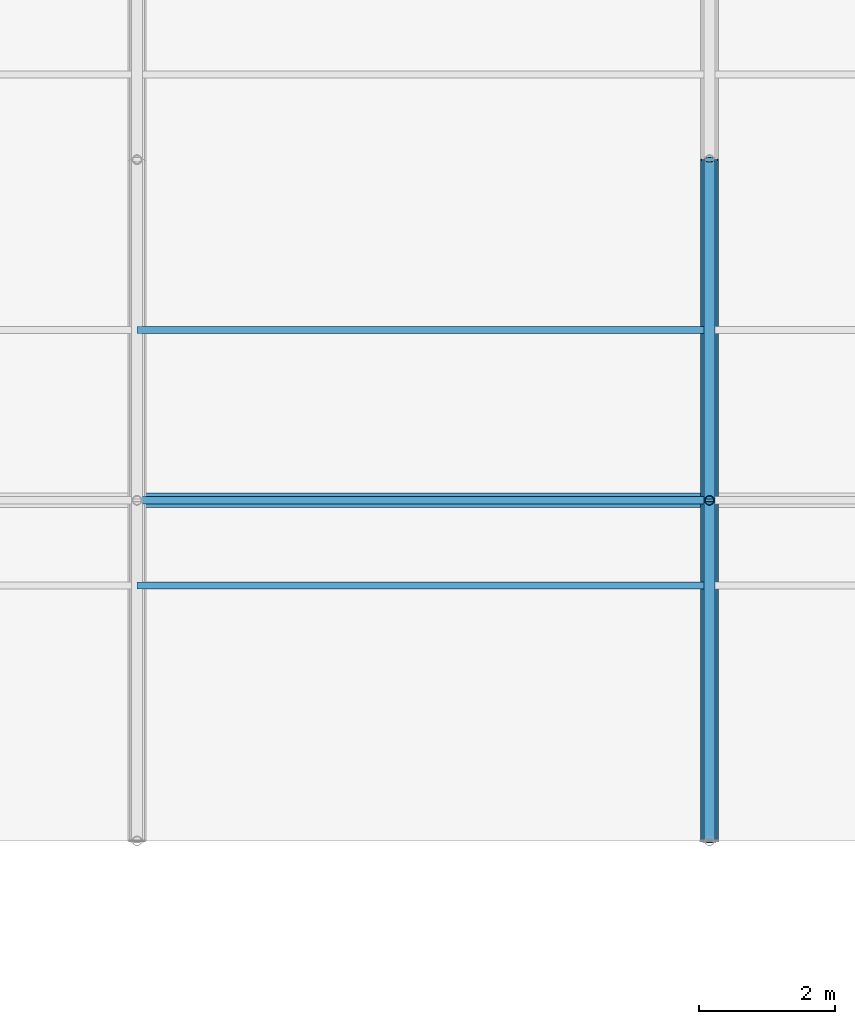
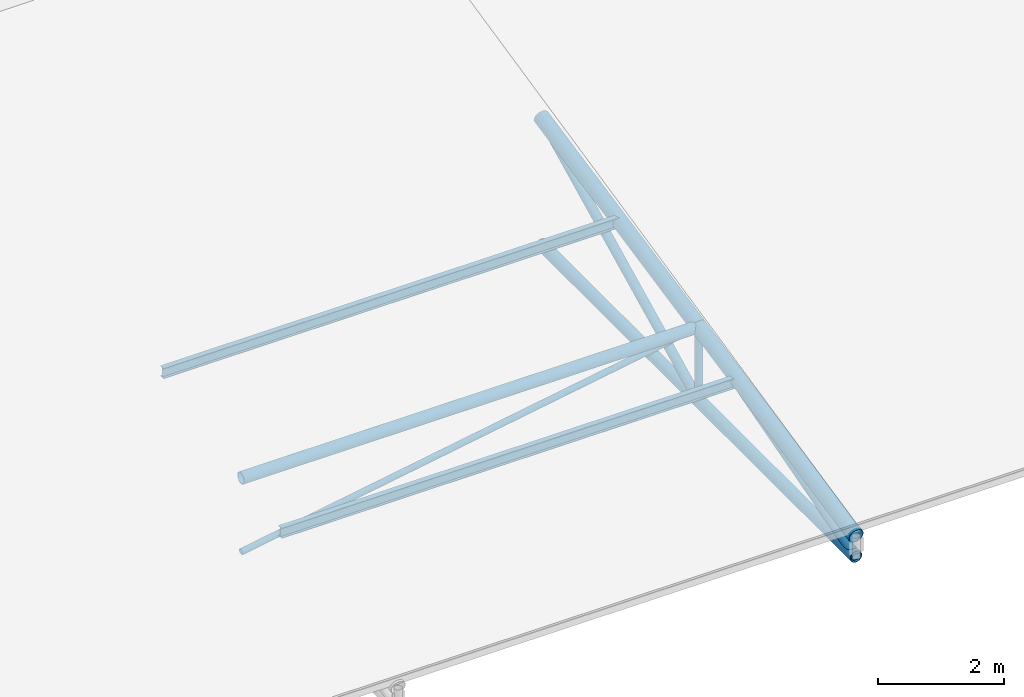
# One storey, part 18 of 194: 9 members, 2 beams.
"""IFC4 building model written with IfcOpenShell, lengths in metres."""

import ifcopenshell
import ifcopenshell.guid

model = None  # the IFC model being written
_history = None  # IfcOwnerHistory: only IFC2X3 demands one
_inside = {}  # id of a spatial element -> (the spatial element, [elements in it])
_under = {}  # id of a project, library or spatial element -> (it, [spatial elements below it])
_declared = {}  # id of a project -> (the project, [libraries it declares])
_typed = {}  # id of a type object -> (the type object, [elements of that type])
_made_of = {}  # id of a material, layer set ... -> (it, [elements and type objects made of it])


def new_model(schema):
    """Start an empty IFC model of exactly this schema.

    Asked for "IFC4X3", IfcOpenShell would pick the latest addendum, in which some entities
    have other attributes; the version numbers below select the first issue.
    IFC2X3 requires an IfcOwnerHistory on every rooted entity: one is made here for all.
    """
    global model, _history
    if schema == "IFC4X3":
        model = ifcopenshell.file(schema_version=(4, 3, 0, 0))
    else:
        model = ifcopenshell.file(schema=schema)
    _inside.clear()
    _under.clear()
    _declared.clear()
    _typed.clear()
    _made_of.clear()
    _history = None
    if model.schema == "IFC2X3":
        org = make("IfcOrganization", Name="unknown")
        user = make(
            "IfcPersonAndOrganization",
            ThePerson=make("IfcPerson", FamilyName="unknown"),
            TheOrganization=org,
        )
        app = make(
            "IfcApplication",
            ApplicationDeveloper=org,
            Version="unknown",
            ApplicationFullName="unknown",
            ApplicationIdentifier="unknown",
        )
        _history = make(
            "IfcOwnerHistory",
            OwningUser=user,
            OwningApplication=app,
            ChangeAction="ADDED",
            CreationDate=0,
        )
    return model


def make(cls, **values):
    """One entity of the class cls with the attributes given. An attribute that is None is left unset."""
    return model.create_entity(
        cls, **{name: value for name, value in values.items() if value is not None}
    )


def rooted(cls, **values):
    """An entity with a GlobalId (a new one), such as an element, a storey or a relation."""
    return make(cls, GlobalId=ifcopenshell.guid.new(), OwnerHistory=_history, **values)


def si_unit(unit_type, name, prefix=None):
    """IfcSIUnit, for example si_unit("LENGTHUNIT", "METRE", prefix="MILLI")."""
    return make("IfcSIUnit", UnitType=unit_type, Prefix=prefix, Name=name)


def assignment(units):
    """IfcUnitAssignment: the units of a project."""
    return None if units is None else make("IfcUnitAssignment", Units=units)


def point(xyz):
    """IfcCartesianPoint."""
    return None if xyz is None else make("IfcCartesianPoint", Coordinates=xyz)


def direction(xyz):
    """IfcDirection."""
    return None if xyz is None else make("IfcDirection", DirectionRatios=xyz)


def frame(location, z_axis=None, x_axis=None):
    """IfcAxis2Placement3D, a coordinate frame: its origin and axes. An axis left out is left unset."""
    return make(
        "IfcAxis2Placement3D",
        Location=point(location),
        Axis=direction(z_axis),
        RefDirection=direction(x_axis),
    )


def frame_2d(location, x_axis=None):
    """IfcAxis2Placement2D, a coordinate frame in the plane: its origin and x axis."""
    return make(
        "IfcAxis2Placement2D", Location=point(location), RefDirection=direction(x_axis)
    )


def origin():
    """The frame at (0, 0, 0) with its axes left unset."""
    return frame((0.0, 0.0, 0.0))


def origin_2d():
    """The frame at (0, 0) in the plane with its x axis left unset."""
    return frame_2d((0.0, 0.0))


def place(relative_to, where):
    """IfcLocalPlacement: puts the frame where relative to a parent placement (None: the world)."""
    return make(
        "IfcLocalPlacement", PlacementRelTo=relative_to, RelativePlacement=where
    )


def context(
    kind, dimensions, precision=None, world=None, true_north=None, identifier=None
):
    """IfcGeometricRepresentationContext, for example the 3D "Model" context."""
    return make(
        "IfcGeometricRepresentationContext",
        ContextIdentifier=identifier,
        ContextType=kind,
        CoordinateSpaceDimension=dimensions,
        Precision=precision,
        WorldCoordinateSystem=world,
        TrueNorth=true_north,
    )


def subcontext(parent, identifier, kind, view, scale=None):
    """IfcGeometricRepresentationSubContext, for example "Body" below "Model"."""
    return make(
        "IfcGeometricRepresentationSubContext",
        ContextIdentifier=identifier,
        ContextType=kind,
        ParentContext=parent,
        TargetScale=scale,
        TargetView=view,
    )


def project(units=None, contexts=None):
    """IfcProject with its units and contexts."""
    return rooted(
        "IfcProject",
        Name="project",
        RepresentationContexts=contexts,
        UnitsInContext=assignment(units),
    )


def spatial(cls, under=None, at=None, **own):
    """A site, building, storey or space (cls), placed at a placement, below another one or the project."""
    s = rooted(cls, ObjectPlacement=at, **own)
    if under is not None:
        _under.setdefault(under.id(), (under, []))[1].append(s)
    return s


def profile(cls, at=None, kind="AREA", **sizes):
    """A parametric profile (cls). Its sizes go by their IFC names, for example OverallWidth=200.0."""
    return make(cls, ProfileType=kind, Position=at, **sizes)


def hollow_circle(**sizes):
    """IfcCircleHollowProfileDef."""
    return profile("IfcCircleHollowProfileDef", **sizes)


def i_section(**sizes):
    """IfcIShapeProfileDef."""
    return profile("IfcIShapeProfileDef", **sizes)


def extrude(swept, where, along, depth):
    """IfcExtrudedAreaSolid: the profile swept, set in the frame where, extruded along a direction by depth."""
    return make(
        "IfcExtrudedAreaSolid",
        SweptArea=swept,
        Position=where,
        ExtrudedDirection=direction(along),
        Depth=depth,
    )


def shape(context_of_items, identifier, shape_type, items):
    """IfcShapeRepresentation: the items that make up one representation, for example the "Body"."""
    return make(
        "IfcShapeRepresentation",
        ContextOfItems=context_of_items,
        RepresentationIdentifier=identifier,
        RepresentationType=shape_type,
        Items=items,
    )


def material(Name=None, Category=None):
    """IfcMaterial."""
    return make("IfcMaterial", Name=Name, Category=Category)


def material_profile(
    of_material, cross_section, Name=None, Category=None, Priority=None
):
    """IfcMaterialProfile: a cross section and its material."""
    return make(
        "IfcMaterialProfile",
        Name=Name,
        Material=of_material,
        Profile=cross_section,
        Priority=Priority,
        Category=Category,
    )


def profile_set(profiles, Name=None, composite=None):
    """IfcMaterialProfileSet."""
    return make(
        "IfcMaterialProfileSet",
        Name=Name,
        MaterialProfiles=profiles,
        CompositeProfile=composite,
    )


def made_of(thing, what):
    """Note that an element or type object is made of a material, layer set ...; save() writes the relation."""
    if what is not None:
        _made_of.setdefault(what.id(), (what, []))[1].append(thing)
    return thing


def type_object(cls, material=None, **own):
    """A type object (cls), such as IfcWallType, which elements share."""
    return made_of(rooted(cls, **own), material)


def element(
    cls,
    number,
    at=None,
    inside=None,
    cuts=None,
    type_object=None,
    material=None,
    context=None,
    identifier="Body",
    shape_type=None,
    held_by="IfcProductDefinitionShape",
    body=None,
    shapes=None,
    **own,
):
    """One element of the class cls, such as IfcWall. Its Tag is "e" and its number.

    at: its placement. inside: the storey or other place that contains it. cuts: it is an
    opening in that element (IfcRelVoidsElement). A single representation is given by context,
    identifier, shape_type and body (its items); several are given by shapes. held_by: the class
    of the entity that holds the representations. save() writes the other relations.
    """
    e = rooted(cls, Tag="e%d" % number, ObjectPlacement=at, **own)
    if body is not None:
        shapes = [shape(context, identifier, shape_type, body)]
    if shapes is not None:
        e.Representation = make(held_by, Representations=shapes)
    if inside is not None:
        _inside.setdefault(inside.id(), (inside, []))[1].append(e)
    if cuts is not None:
        rooted(
            "IfcRelVoidsElement", RelatingBuildingElement=cuts, RelatedOpeningElement=e
        )
    if type_object is not None:
        _typed.setdefault(type_object.id(), (type_object, []))[1].append(e)
    return made_of(e, material)


def aggregate(whole, parts):
    """IfcRelAggregates: a whole, such as a stair, and the parts it consists of."""
    return rooted("IfcRelAggregates", RelatingObject=whole, RelatedObjects=parts)


def save(model, path):
    """Write the relations noted so far, then the file.

    IfcRelAggregates (storeys below a building ...), IfcRelContainedInSpatialStructure (elements
    in a storey), IfcRelDefinesByType, IfcRelAssociatesMaterial and IfcRelDeclares: one each for
    every whole, place, type object, material and project.
    """
    for whole, parts in _under.values():
        aggregate(whole, parts)
    for where, things in _inside.values():
        rooted(
            "IfcRelContainedInSpatialStructure",
            RelatedElements=things,
            RelatingStructure=where,
        )
    for kind, things in _typed.values():
        rooted("IfcRelDefinesByType", RelatedObjects=things, RelatingType=kind)
    for what, things in _made_of.values():
        rooted("IfcRelAssociatesMaterial", RelatedObjects=things, RelatingMaterial=what)
    for by, libraries in _declared.values():
        rooted("IfcRelDeclares", RelatingContext=by, RelatedDefinitions=libraries)
    model.write(path)


model = new_model("IFC4")

# Units and contexts
model_context = context("Model", 3, precision=1e-05, world=origin(), true_north=direction((0.0, 1.0)))
body_context = subcontext(model_context, "Body", "Model", "MODEL_VIEW")
ifc_project = project(units=[si_unit("LENGTHUNIT", "METRE"), si_unit("AREAUNIT", "SQUARE_METRE"), si_unit("VOLUMEUNIT", "CUBIC_METRE"), si_unit("PLANEANGLEUNIT", "RADIAN"), si_unit("MASSUNIT", "GRAM", prefix="KILO")], contexts=[model_context])

# Site, building, storey
site_placement = place(None, origin())
site = spatial("IfcSite", under=ifc_project, at=site_placement, CompositionType="ELEMENT")
building_placement = place(site_placement, origin())
building = spatial("IfcBuilding", under=site, at=building_placement, Name="Kazenagashi Tramway Depot", CompositionType="ELEMENT")
storey_placement = place(building_placement, frame((0.0, 0.0, 23.7)))
storey = spatial("IfcBuildingStorey", under=building, at=storey_placement, Name="ROOF", CompositionType="ELEMENT", Elevation=23.7)

# Beams
ifc_material_1 = material(Name="Steel SN400B", Category="steel")
ifc_material_profile_1 = material_profile(ifc_material_1, i_section(OverallWidth=0.1, OverallDepth=0.2, WebThickness=0.0055, FlangeThickness=0.008, at=origin_2d()), Name="H-200x100x5.5x8")
ifc_profile_set_1 = profile_set([ifc_material_profile_1], Name="Steel SN400B")
beam_type = type_object("IfcBeamType", Name="PR-01", PredefinedType="USERDEFINED", material=ifc_profile_set_1)
for number, where, z_axis, x_axis, name in (
    (1, (61.6, 73.75, -12.955), (1.0, 0.0, 0.0), (0.0, 1.0, 0.0), "Beam PR-01 BM-2020"),
    (2, (61.6, 77.5, -12.13), (1.0, 0.0, 0.0), (0.0, 1.0, 0.0), "Beam PR-01 BM-2038"),
):
    element("IfcBeam", number, at=place(storey_placement, frame(where, z_axis=z_axis, x_axis=x_axis)), inside=storey, type_object=beam_type, Name=name, ObjectType="PURLIN", PredefinedType="USERDEFINED", context=body_context, shape_type="SweptSolid", body=[
        extrude(i_section(OverallWidth=0.1, OverallDepth=0.2, WebThickness=0.0055, FlangeThickness=0.008, at=origin_2d()), origin(), (0.0, 0.0, 1.0), 8.4),
    ])

# Members
ifc_material_2 = material(Name="Steel STK490", Category="steel")
ifc_material_profile_2 = material_profile(ifc_material_2, hollow_circle(Radius=0.1337, WallThickness=0.0093, at=origin_2d()), Name="CHS-267.4x9.3")
ifc_profile_set_2 = profile_set([ifc_material_profile_2], Name="Steel STK490")
member_type_1 = type_object("IfcMemberType", Name="TC-01", PredefinedType="CHORD", material=ifc_profile_set_2)
member_1_placement = place(storey_placement, frame((70.0, 70.0, -13.7), z_axis=(0.0, 0.979317999984, 0.202327098797), x_axis=(-1.0, 0.0, 0.0)))
element("IfcMember", 3, at=member_1_placement, inside=storey, type_object=member_type_1, Name="Tubular Space Frame TC-01 MEM-0184", PredefinedType="CHORD", context=body_context, shape_type="SweptSolid", body=[
    extrude(hollow_circle(Radius=0.1337, WallThickness=0.0093, at=origin_2d()), origin(), (0.0, 0.0, 1.0), 5.105594),
])
member_2_placement = place(storey_placement, frame((70.0, 75.0, -12.667), z_axis=(0.0, 0.979279174591, 0.202514933305), x_axis=(-1.0, 0.0, 0.0)))
element("IfcMember", 4, at=member_2_placement, inside=storey, type_object=member_type_1, Name="Tubular Space Frame TC-01 MEM-0187", PredefinedType="CHORD", context=body_context, shape_type="SweptSolid", body=[
    extrude(hollow_circle(Radius=0.1337, WallThickness=0.0093, at=origin_2d()), origin(), (0.0, 0.0, 1.0), 5.105796),
])
ifc_material_profile_3 = material_profile(ifc_material_2, hollow_circle(Radius=0.10815, WallThickness=0.0082, at=origin_2d()), Name="CHS-216.3x8.2")
ifc_profile_set_3 = profile_set([ifc_material_profile_3], Name="Steel STK490")
member_type_2 = type_object("IfcMemberType", Name="TC-02", PredefinedType="CHORD", material=ifc_profile_set_3)
member_3_placement = place(storey_placement, frame((61.6, 75.0, -12.667), z_axis=(1.0, 0.0, 0.0), x_axis=(0.0, 1.0, 0.0)))
element("IfcMember", 5, at=member_3_placement, inside=storey, type_object=member_type_2, Name="Tubular Space Frame TC-02 MEM-0148", PredefinedType="CHORD", context=body_context, shape_type="SweptSolid", body=[
    extrude(hollow_circle(Radius=0.10815, WallThickness=0.0082, at=origin_2d()), origin(), (0.0, 0.0, 1.0), 8.4),
])
for number, where, z_axis, x_axis, name in (
    (6, (70.0, 70.0, -14.1), (0.0, 1.0, 0.0), (-1.0, 0.0, 0.0), "Tubular Space Frame TC-02 MEM-0185"),
    (7, (70.0, 75.0, -14.1), (0.0, 1.0, 0.0), (-1.0, 0.0, 0.0), "Tubular Space Frame TC-02 MEM-0188"),
):
    element("IfcMember", number, at=place(storey_placement, frame(where, z_axis=z_axis, x_axis=x_axis)), inside=storey, type_object=member_type_2, Name=name, PredefinedType="CHORD", context=body_context, shape_type="SweptSolid", body=[
        extrude(hollow_circle(Radius=0.10815, WallThickness=0.0082, at=origin_2d()), origin(), (0.0, 0.0, 1.0), 5.0),
    ])
ifc_material_profile_4 = material_profile(ifc_material_2, hollow_circle(Radius=0.0826, WallThickness=0.0071, at=origin_2d()), Name="CHS-165.2x7.1")
ifc_profile_set_4 = profile_set([ifc_material_profile_4], Name="Steel STK490")
member_type_3 = type_object("IfcMemberType", Name="TS-01", PredefinedType="STRUT", material=ifc_profile_set_4)
member_4_placement = place(storey_placement, frame((70.0, 70.0, -14.1), z_axis=(0.0, 0.961298717795, 0.27550821252), x_axis=(-1.0, 0.0, 0.0)))
element("IfcMember", 8, at=member_4_placement, inside=storey, type_object=member_type_3, Name="Tubular Space Frame TS-01 MEM-0186", PredefinedType="STRUT", context=body_context, shape_type="SweptSolid", body=[
    extrude(hollow_circle(Radius=0.0826, WallThickness=0.0071, at=origin_2d()), origin(), (0.0, 0.0, 1.0), 5.201297),
])
member_5_placement = place(storey_placement, frame((70.0, 75.0, -14.1), z_axis=(0.0, 0.896782162482, 0.442472318969), x_axis=(-1.0, 0.0, 0.0)))
element("IfcMember", 9, at=member_5_placement, inside=storey, type_object=member_type_3, Name="Tubular Space Frame TS-01 MEM-0189", PredefinedType="STRUT", context=body_context, shape_type="SweptSolid", body=[
    extrude(hollow_circle(Radius=0.0826, WallThickness=0.0071, at=origin_2d()), origin(), (0.0, 0.0, 1.0), 5.57549),
])
ifc_material_profile_5 = material_profile(ifc_material_2, hollow_circle(Radius=0.0699, WallThickness=0.0066, at=origin_2d()), Name="CHS-139.8x6.6")
ifc_profile_set_5 = profile_set([ifc_material_profile_5], Name="Steel STK490")
member_type_4 = type_object("IfcMemberType", Name="TS-02", PredefinedType="STRUT", material=ifc_profile_set_5)
member_6_placement = place(storey_placement, frame((70.0, 75.0, -14.1), z_axis=(0.0, 0.0, 1.0), x_axis=(1.0, 0.0, 0.0)))
element("IfcMember", 10, at=member_6_placement, inside=storey, type_object=member_type_4, Name="Tubular Space Frame TS-02 MEM-0203", PredefinedType="STRUT", context=body_context, shape_type="SweptSolid", body=[
    extrude(hollow_circle(Radius=0.0699, WallThickness=0.0066, at=origin_2d()), origin(), (0.0, 0.0, 1.0), 1.433),
])
ifc_material_3 = material(Name="Steel STK400", Category="steel")
ifc_material_profile_6 = material_profile(ifc_material_3, hollow_circle(Radius=0.05715, WallThickness=0.0045, at=origin_2d()), Name="CHS-114.3x4.5")
ifc_profile_set_6 = profile_set([ifc_material_profile_6], Name="Steel STK400")
member_type_5 = type_object("IfcMemberType", Name="TS-03", PredefinedType="STRUT", material=ifc_profile_set_6)
member_7_placement = place(storey_placement, frame((61.6, 75.0, -14.1), z_axis=(0.985758734117, 0.0, 0.168165745951), x_axis=(0.0, 1.0, 0.0)))
element("IfcMember", 11, at=member_7_placement, inside=storey, type_object=member_type_5, Name="Tubular Space Frame TS-03 MEM-0149", PredefinedType="STRUT", context=body_context, shape_type="SweptSolid", body=[
    extrude(hollow_circle(Radius=0.05715, WallThickness=0.0045, at=origin_2d()), origin(), (0.0, 0.0, 1.0), 8.521355),
])

save(model, "model.ifc")
